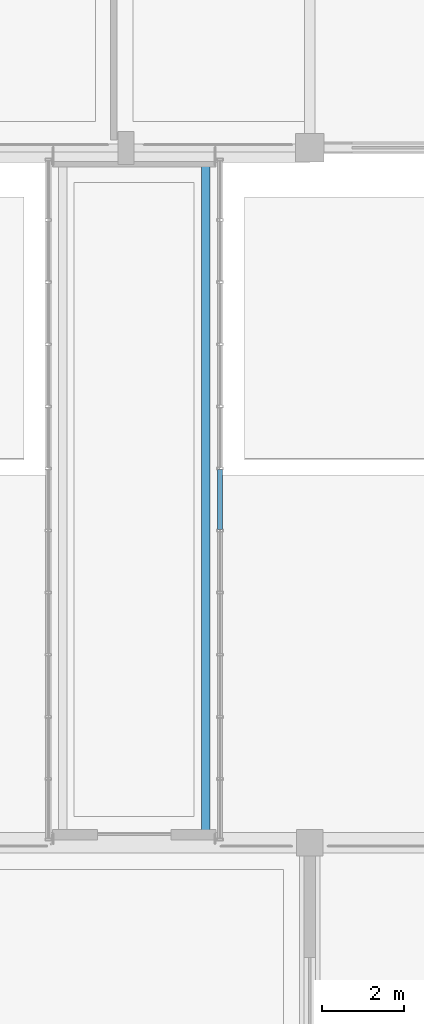
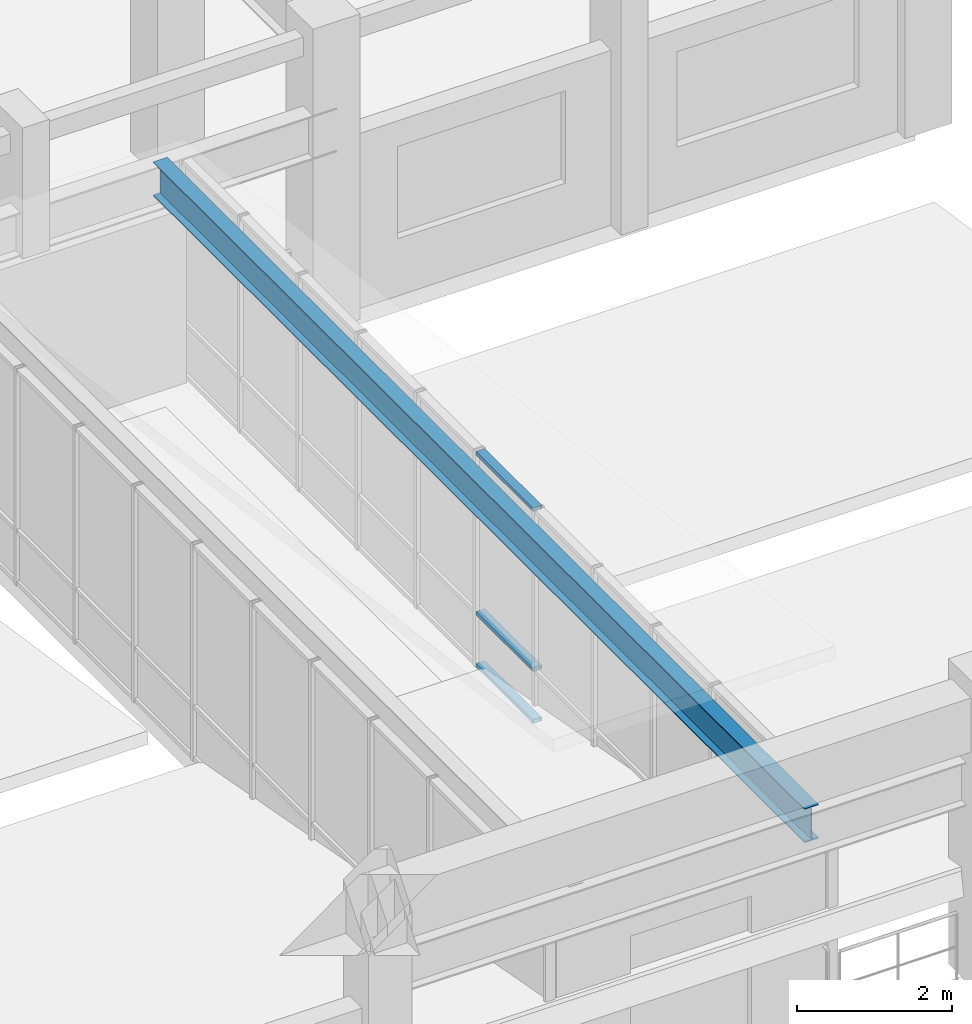
# One storey, part 19 of 104: 3 members, 1 beam, 1 element without a shape of its own.
"""IFC4 building model written with IfcOpenShell, lengths in metres."""

from ifc_helpers import new_model, si_unit, direction, frame, origin, origin_2d, place, context, subcontext, project, spatial, hollow_rectangle, i_section, extrude, material, layer, layer_set, material_profile, profile_set, type_object, element, aggregate, save


model = new_model("IFC4")

# Units and contexts
model_context = context("Model", 3, precision=1e-05, world=origin(), true_north=direction((0.0, 1.0)))
body_context = subcontext(model_context, "Body", "Model", "MODEL_VIEW")
ifc_project = project(units=[si_unit("LENGTHUNIT", "METRE"), si_unit("AREAUNIT", "SQUARE_METRE"), si_unit("VOLUMEUNIT", "CUBIC_METRE"), si_unit("PLANEANGLEUNIT", "RADIAN"), si_unit("MASSUNIT", "GRAM", prefix="KILO")], contexts=[model_context])

# Site, building, storey
site_placement = place(None, origin())
site = spatial("IfcSite", under=ifc_project, at=site_placement, CompositionType="ELEMENT")
building_placement = place(site_placement, origin())
building = spatial("IfcBuilding", under=site, at=building_placement, Name="Ventoquebrada Cableway Terminal", CompositionType="ELEMENT")
storey_placement = place(building_placement, frame((0.0, 0.0, 4.800048828125)))
storey = spatial("IfcBuildingStorey", under=building, at=storey_placement, Name="L01", CompositionType="ELEMENT", Elevation=4.800048828125)

# Beam
ifc_material_1 = material(Name="Steel ASTM A992 Grade 50", Category="steel")
ifc_material_profile_1 = material_profile(ifc_material_1, i_section(OverallWidth=0.2099609375, OverallDepth=0.532958984375, WebThickness=0.01025390625, FlangeThickness=0.015625, at=origin_2d()), Name="W21X62")
ifc_profile_set_1 = profile_set([ifc_material_profile_1], Name="Steel ASTM A992 Grade 50")
beam_type = type_object("IfcBeamType", Name="BM-ST01", PredefinedType="BEAM", material=ifc_profile_set_1)
beam_placement = place(storey_placement, frame((23.64990234375, 47.0, 3.183837890625), z_axis=(0.0, 1.0, 0.0), x_axis=(-1.0, 0.0, 0.0)))
element("IfcBeam", 1, at=beam_placement, inside=storey, type_object=beam_type, Name="Link bridge roof girder LP-1 FBM-1105", PredefinedType="BEAM", context=body_context, shape_type="SweptSolid", body=[
    extrude(i_section(OverallWidth=0.2099609375, OverallDepth=0.532958984375, WebThickness=0.01025390625, FlangeThickness=0.015625, at=origin_2d()), origin(), (0.0, 0.0, 1.0), 16.77490234375),
])

# Curtain wall, members
ifc_material_2 = material(Name="Anodized thermally-broken aluminium", Category="aluminium")
ifc_layer = layer(ifc_material_2, 0.159912109375)
ifc_layer_set = layer_set([ifc_layer], Name="Anodized thermally-broken aluminium")
curtain_wall_type = type_object("IfcCurtainWallType", Name="CW-T51", PredefinedType="USERDEFINED", material=ifc_layer_set)
curtain_wall_placement = place(storey_placement, origin())
curtain_wall = element("IfcCurtainWall", 2, at=curtain_wall_placement, inside=storey, type_object=curtain_wall_type, Name="Unitised glazed curtain wall CW-170", ObjectType="UNITISED CURTAIN WALL", PredefinedType="USERDEFINED")
ifc_material_profile_2 = material_profile(ifc_material_2, hollow_rectangle(XDim=0.06005859375, YDim=0.1298828125, WallThickness=0.00390625, at=origin_2d()), Name="CW-TRN-60X130")
ifc_profile_set_2 = profile_set([ifc_material_profile_2], Name="Anodized thermally-broken aluminium")
member_type = type_object("IfcMemberType", Name="CWT-02", PredefinedType="USERDEFINED", material=ifc_profile_set_2)
member_1_placement = place(storey_placement, frame((24.0, 56.135009765625, 0.034912109375), z_axis=(0.0, -1.0, 0.0), x_axis=(0.0, 0.0, 1.0)))
member_1 = element("IfcMember", 3, at=member_1_placement, type_object=member_type, Name="Curtain wall transom FTR-2444", ObjectType="TRANSOM", PredefinedType="USERDEFINED", context=body_context, shape_type="SweptSolid", body=[
    extrude(hollow_rectangle(XDim=0.06005859375, YDim=0.1298828125, WallThickness=0.00390625, at=origin_2d()), origin(), (0.0, 0.0, 1.0), 1.469970703125),
])
member_2_placement = place(storey_placement, frame((24.0, 56.135009765625, 0.849853515625), z_axis=(0.0, -1.0, 0.0), x_axis=(0.0, 0.0, 1.0)))
member_2 = element("IfcMember", 4, at=member_2_placement, type_object=member_type, Name="Curtain wall transom FTR-2445", ObjectType="TRANSOM", PredefinedType="USERDEFINED", context=body_context, shape_type="SweptSolid", body=[
    extrude(hollow_rectangle(XDim=0.06005859375, YDim=0.1298828125, WallThickness=0.00390625, at=origin_2d()), origin(), (0.0, 0.0, 1.0), 1.469970703125),
])
member_3_placement = place(storey_placement, frame((24.0, 56.135009765625, 3.364990234375), z_axis=(0.0, -1.0, 0.0), x_axis=(0.0, 0.0, 1.0)))
member_3 = element("IfcMember", 5, at=member_3_placement, type_object=member_type, Name="Curtain wall transom FTR-2446", ObjectType="TRANSOM", PredefinedType="USERDEFINED", context=body_context, shape_type="SweptSolid", body=[
    extrude(hollow_rectangle(XDim=0.06005859375, YDim=0.1298828125, WallThickness=0.00390625, at=origin_2d()), origin(), (0.0, 0.0, 1.0), 1.469970703125),
])
aggregate(curtain_wall, [member_1, member_2, member_3])

save(model, "model.ifc")
